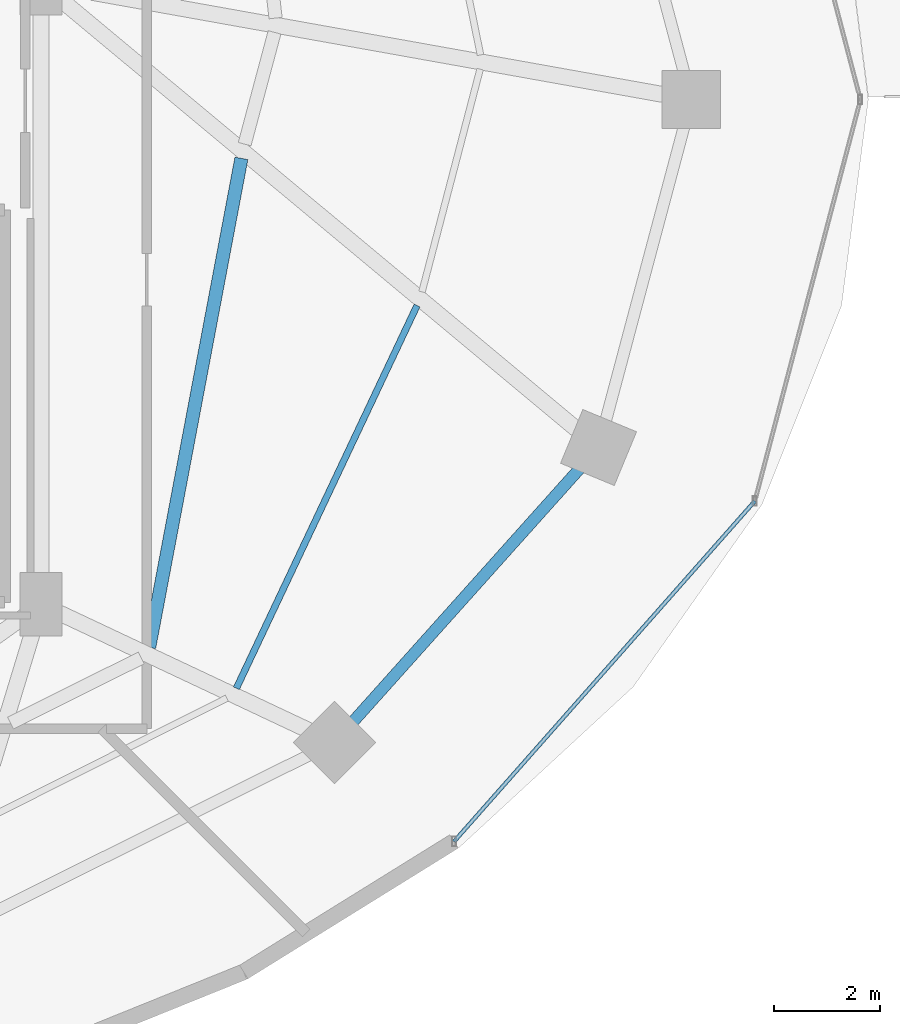
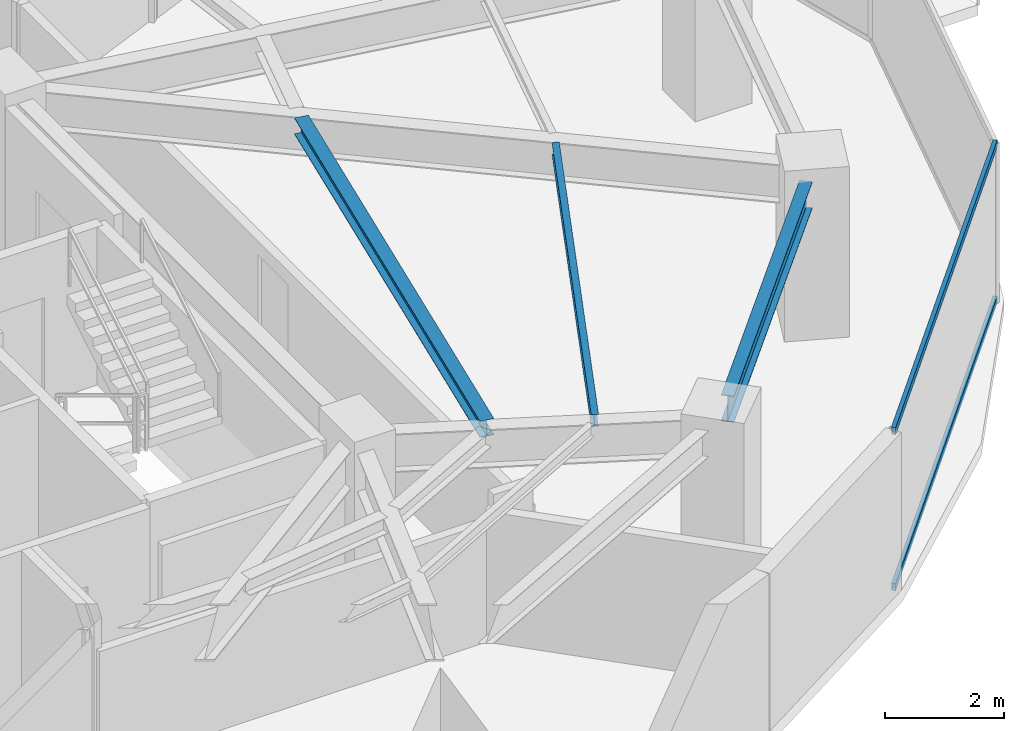
# One storey, part 13 of 31: 3 beams, 2 members, 1 element without a shape of its own.
"""IFC4 building model written with IfcOpenShell, lengths in metres."""

from ifc_helpers import new_model, si_unit, direction, frame, origin, origin_2d, place, context, subcontext, project, spatial, hollow_rectangle, i_section, extrude, material, material_profile, profile_set, type_object, element, aggregate, save


model = new_model("IFC4")

# Units and contexts
model_context = context("Model", 3, precision=1e-05, world=origin(), true_north=direction((0.0, 1.0)))
body_context = subcontext(model_context, "Body", "Model", "MODEL_VIEW")
ifc_project = project(units=[si_unit("LENGTHUNIT", "METRE"), si_unit("AREAUNIT", "SQUARE_METRE"), si_unit("VOLUMEUNIT", "CUBIC_METRE"), si_unit("PLANEANGLEUNIT", "RADIAN"), si_unit("MASSUNIT", "GRAM", prefix="KILO")], contexts=[model_context])

# Site, building, storey
site_placement = place(None, origin())
site = spatial("IfcSite", under=ifc_project, at=site_placement, CompositionType="ELEMENT")
building_placement = place(site_placement, origin())
building = spatial("IfcBuilding", under=site, at=building_placement, Name="Vorneva Point Tower", CompositionType="ELEMENT")
storey_placement = place(building_placement, frame((0.0, 0.0, 99.800048828125)))
storey = spatial("IfcBuildingStorey", under=building, at=storey_placement, Name="L26", CompositionType="ELEMENT", Elevation=99.800048828125)

# Beams
ifc_material_1 = material(Name="Steel S355", Category="steel")
ifc_material_profile_1 = material_profile(ifc_material_1, i_section(OverallWidth=0.1240234375, OverallDepth=0.248046875, WebThickness=0.0048828125, FlangeThickness=0.008056640625, at=origin_2d()), Name="25B1")
ifc_profile_set_1 = profile_set([ifc_material_profile_1], Name="Steel S355")
beam_type_1 = type_object("IfcBeamType", Name="BM-JST-25B1", PredefinedType="JOIST", material=ifc_profile_set_1)
beam_1_placement = place(storey_placement, frame((52.444580078125, 14.86328125, 3.115966796875), z_axis=(0.426826218091, 0.904333666049, 0.0), x_axis=(-0.904333666049, 0.426826218091, 0.0)))
element("IfcBeam", 1, at=beam_1_placement, inside=storey, type_object=beam_type_1, Name="L26 Secondary Floor Beam 1.15", PredefinedType="JOIST", context=body_context, shape_type="SweptSolid", body=[
    extrude(i_section(OverallWidth=0.1240234375, OverallDepth=0.248046875, WebThickness=0.0048828125, FlangeThickness=0.008056640625, at=origin_2d()), origin(), (0.0, 0.0, 1.0), 8.006103515625),
])
ifc_material_profile_2 = material_profile(ifc_material_1, i_section(OverallWidth=0.2490234375, OverallDepth=0.333984375, WebThickness=0.008056640625, FlangeThickness=0.010986328125, at=origin_2d()), Name="35Sh1")
ifc_profile_set_2 = profile_set([ifc_material_profile_2], Name="Steel S355")
beam_type_2 = type_object("IfcBeamType", Name="BM-SEC-35Sh1", PredefinedType="BEAM", material=ifc_profile_set_2)
beam_2_placement = place(storey_placement, frame((50.794921875, 15.635009765625, 3.072998046875), z_axis=(0.185268492404, 0.982687939136, 0.0), x_axis=(-0.982687939136, 0.185268492404, 0.0)))
element("IfcBeam", 2, at=beam_2_placement, inside=storey, type_object=beam_type_2, Name="L26 Secondary Floor Beam 2.15", PredefinedType="BEAM", context=body_context, shape_type="SweptSolid", body=[
    extrude(i_section(OverallWidth=0.2490234375, OverallDepth=0.333984375, WebThickness=0.008056640625, FlangeThickness=0.010986328125, at=origin_2d()), origin(), (0.0, 0.0, 1.0), 9.41552734375),
])
ifc_material_profile_3 = material_profile(ifc_material_1, i_section(OverallWidth=0.219970703125, OverallDepth=0.54296875, WebThickness=0.009521484375, FlangeThickness=0.013427734375, at=origin_2d()), Name="55B1")
ifc_profile_set_3 = profile_set([ifc_material_profile_3], Name="Steel S355")
beam_type_3 = type_object("IfcBeamType", Name="BM-SPN-55B1", PredefinedType="SPANDREL", material=ifc_profile_set_3)
beam_3_placement = place(storey_placement, frame((54.65576171875, 14.236328125, 2.968505859375), z_axis=(0.667073815664, 0.744991627105, 0.0), x_axis=(-0.744991627105, 0.667073815664, 0.0)))
element("IfcBeam", 3, at=beam_3_placement, inside=storey, type_object=beam_type_3, Name="L26 Perimeter Spandrel Ring Beam 15", PredefinedType="SPANDREL", context=body_context, shape_type="SweptSolid", body=[
    extrude(i_section(OverallWidth=0.219970703125, OverallDepth=0.54296875, WebThickness=0.009521484375, FlangeThickness=0.013427734375, at=origin_2d()), origin(), (0.0, 0.0, 1.0), 6.420166015625),
])

# Curtain wall, members
ifc_material_2 = material(Name="Pale anodised aluminium", Category="aluminium")
curtain_wall_type = type_object("IfcCurtainWallType", Name="CW-HTL-SYS", PredefinedType="NOTDEFINED", material=ifc_material_2)
curtain_wall_placement = place(storey_placement, origin())
curtain_wall = element("IfcCurtainWall", 4, at=curtain_wall_placement, inside=storey, type_object=curtain_wall_type, Name="L26 Unitised Curtain Wall CW-L26-R01", PredefinedType="NOTDEFINED")
ifc_material_profile_4 = material_profile(ifc_material_2, hollow_rectangle(XDim=0.074951171875, YDim=0.14990234375, WallThickness=0.00390625, at=origin_2d()), Name="AL-TRN 150x75x4")
ifc_profile_set_4 = profile_set([ifc_material_profile_4], Name="Pale anodised aluminium")
member_type = type_object("IfcMemberType", Name="CW-TRN-150", PredefinedType="USERDEFINED", material=ifc_profile_set_4)
member_1_placement = place(storey_placement, frame((56.5615234375, 11.9638671875, 0.02001953125), z_axis=(0.662137326257, 0.74938251993, 0.0), x_axis=(-0.74938251993, 0.662137326257, 0.0)))
member_1 = element("IfcMember", 5, at=member_1_placement, type_object=member_type, Name="CW-L26-R01 Transom 01.1", ObjectType="TRANSOM", PredefinedType="USERDEFINED", context=body_context, shape_type="SweptSolid", body=[
    extrude(hollow_rectangle(XDim=0.074951171875, YDim=0.14990234375, WallThickness=0.00390625, at=origin_2d()), origin(), (0.0, 0.0, 1.0), 8.59375),
])
member_2_placement = place(storey_placement, frame((56.5615234375, 11.9638671875, 3.219970703125), z_axis=(0.662137326257, 0.74938251993, 0.0), x_axis=(-0.74938251993, 0.662137326257, 0.0)))
member_2 = element("IfcMember", 6, at=member_2_placement, type_object=member_type, Name="CW-L26-R01 Transom 01.2", ObjectType="TRANSOM", PredefinedType="USERDEFINED", context=body_context, shape_type="SweptSolid", body=[
    extrude(hollow_rectangle(XDim=0.074951171875, YDim=0.14990234375, WallThickness=0.00390625, at=origin_2d()), origin(), (0.0, 0.0, 1.0), 8.59375),
])
aggregate(curtain_wall, [member_1, member_2])

save(model, "model.ifc")
